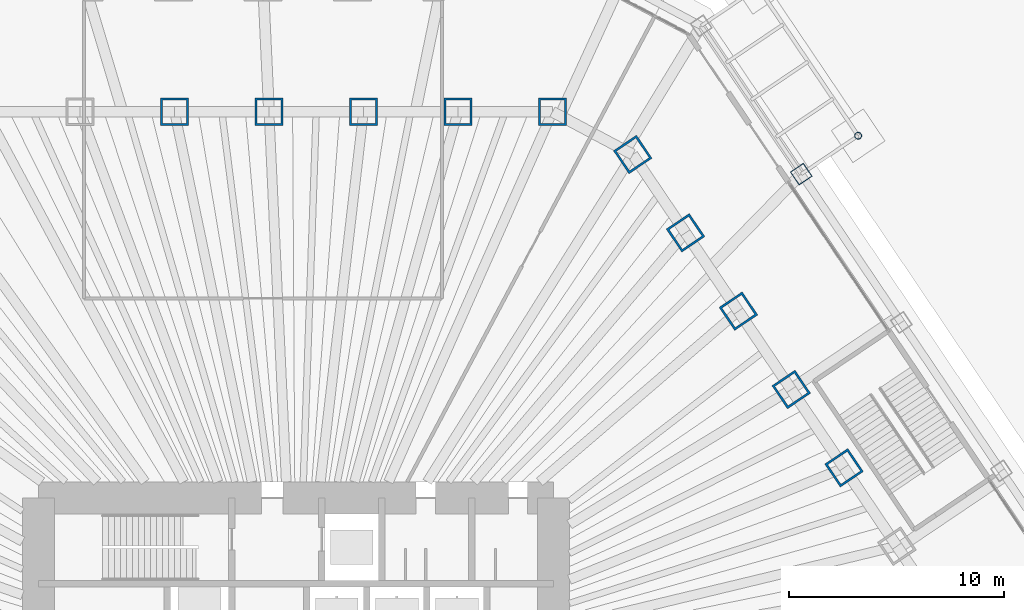
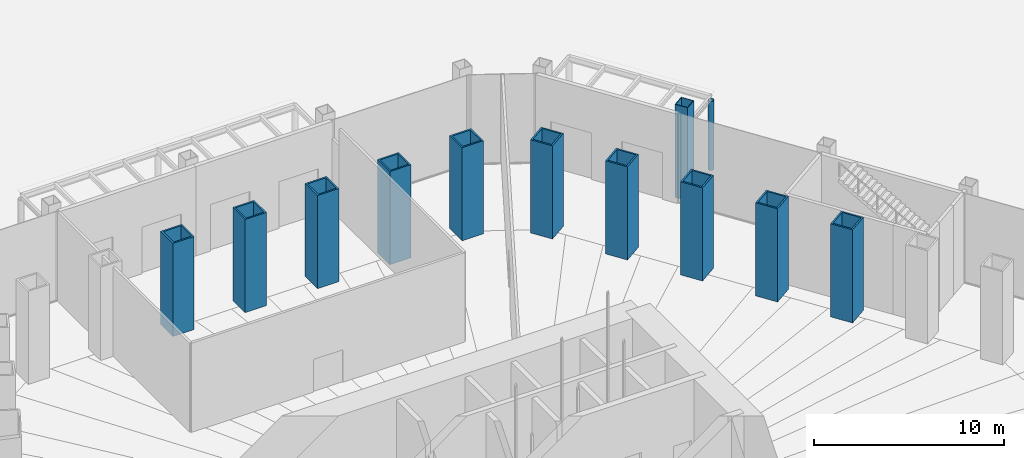
# One storey, part 6 of 45: 12 columns.
"""IFC4 building model written with IfcOpenShell, lengths in metres."""

from ifc_helpers import new_model, si_unit, direction, frame, origin, origin_2d, place, context, subcontext, project, spatial, hollow_rectangle, hollow_circle, extrude, material, material_profile, profile_set, type_object, element, save


model = new_model("IFC4")

# Units and contexts
model_context = context("Model", 3, precision=1e-05, world=origin(), true_north=direction((0.0, 1.0)))
body_context = subcontext(model_context, "Body", "Model", "MODEL_VIEW")
ifc_project = project(units=[si_unit("LENGTHUNIT", "METRE"), si_unit("AREAUNIT", "SQUARE_METRE"), si_unit("VOLUMEUNIT", "CUBIC_METRE"), si_unit("PLANEANGLEUNIT", "RADIAN"), si_unit("MASSUNIT", "GRAM", prefix="KILO")], contexts=[model_context])

# Site, building, storey
site_placement = place(None, origin())
site = spatial("IfcSite", under=ifc_project, at=site_placement, CompositionType="ELEMENT")
building_placement = place(site_placement, origin())
building = spatial("IfcBuilding", under=site, at=building_placement, Name="Qingtian Harvest Tower", CompositionType="ELEMENT")
storey_placement = place(building_placement, origin())
storey = spatial("IfcBuildingStorey", under=building, at=storey_placement, Name="L00", CompositionType="ELEMENT", Elevation=0.0)

# Columns
ifc_material_1 = material(Name="Steel SN490B", Category="steel")
ifc_material_profile_1 = material_profile(ifc_material_1, hollow_circle(Radius=0.161865234375, WallThickness=0.012451171875, at=origin_2d()), Name="CHS324x12.5")
ifc_profile_set_1 = profile_set([ifc_material_profile_1], Name="Steel SN490B")
column_type_1 = type_object("IfcColumnType", Name="Canopy column CC1 CHS324x12.5", PredefinedType="COLUMN", material=ifc_profile_set_1)
column_1_placement = place(storey_placement, frame((26.2060546875, 25.884033203125, -0.300048828125), z_axis=(0.0, 0.0, 1.0), x_axis=(1.0, 0.0, 0.0)))
element("IfcColumn", 1, at=column_1_placement, inside=storey, type_object=column_type_1, Name="Canopy column CC1 CN2 1", PredefinedType="COLUMN", context=body_context, shape_type="SweptSolid", body=[
    extrude(hollow_circle(Radius=0.161865234375, WallThickness=0.012451171875, at=origin_2d()), origin(), (0.0, 0.0, 1.0), 4.4599609375),
])
ifc_material_2 = material(Name="Steel SM570MC", Category="steel")
ifc_material_profile_2 = material_profile(ifc_material_2, hollow_rectangle(XDim=0.75, YDim=0.75, WallThickness=0.035888671875, at=origin_2d()), Name="BOX750x750x36")
ifc_profile_set_2 = profile_set([ifc_material_profile_2], Name="Steel SM570MC")
column_type_2 = type_object("IfcColumnType", Name="Podium column PC1 BOX750x750x36", PredefinedType="COLUMN", material=ifc_profile_set_2)
column_2_placement = place(storey_placement, frame((23.55322265625, 24.0947265625, 0.0), z_axis=(0.0, 0.0, 1.0), x_axis=(-0.559192903471, 0.829037572555, 0.0)))
element("IfcColumn", 2, at=column_2_placement, inside=storey, type_object=column_type_2, Name="Podium column PC1 NE1", PredefinedType="COLUMN", context=body_context, shape_type="SweptSolid", body=[
    extrude(hollow_rectangle(XDim=0.75, YDim=0.75, WallThickness=0.035888671875, at=origin_2d()), origin(), (0.0, 0.0, 1.0), 6.0),
])
ifc_material_3 = material(Name="Steel SM570MC", Category="steel")
ifc_material_profile_3 = material_profile(ifc_material_3, hollow_rectangle(XDim=1.300048828125, YDim=1.300048828125, WallThickness=0.10009765625, at=origin_2d()), Name="BOX1300x1300x100")
ifc_profile_set_3 = profile_set([ifc_material_profile_3], Name="Steel SM570MC")
column_type_3 = type_object("IfcColumnType", Name="Tube column TC1 BOX1300x1300x100", PredefinedType="COLUMN", material=ifc_profile_set_3)
for number, where, z_axis, x_axis, name in (
    (3, (-5.662353515625, 27.0, 0.0), (0.0, 0.0, 1.0), (-1.0, 0.0, 0.0), "Tube column TC1 N2"),
    (4, (-1.257568359375, 27.0, 0.0), (0.0, 0.0, 1.0), (-1.0, 0.0, 0.0), "Tube column TC1 N3"),
    (5, (3.14697265625, 27.0, 0.0), (0.0, 0.0, 1.0), (-1.0, 0.0, 0.0), "Tube column TC1 N4"),
    (6, (7.551513671875, 27.0, 0.0), (0.0, 0.0, 1.0), (-1.0, 0.0, 0.0), "Tube column TC1 N5"),
    (7, (11.9560546875, 27.0, 0.0), (0.0, 0.0, 1.0), (-1.0, 0.0, 0.0), "Tube column TC1 N6"),
    (8, (15.6982421875, 25.01025390625, 0.0), (0.0, 0.0, 1.0), (-0.559192903471, 0.829037572555, 0.0), "Tube column TC1 NE0"),
    (9, (18.1611328125, 21.358642578125, 0.0), (0.0, 0.0, 1.0), (-0.559192903471, 0.829037572555, 0.0), "Tube column TC1 NE1"),
    (10, (20.624267578125, 17.70703125, 0.0), (0.0, 0.0, 1.0), (-0.559192903471, 0.829037572555, 0.0), "Tube column TC1 NE2"),
    (11, (23.08740234375, 14.0556640625, 0.0), (0.0, 0.0, 1.0), (-0.559192903471, 0.829037572555, 0.0), "Tube column TC1 NE3"),
    (12, (25.55029296875, 10.404052734375, 0.0), (0.0, 0.0, 1.0), (-0.559192903471, 0.829037572555, 0.0), "Tube column TC1 NE4"),
):
    element("IfcColumn", number, at=place(storey_placement, frame(where, z_axis=z_axis, x_axis=x_axis)), inside=storey, type_object=column_type_3, Name=name, PredefinedType="COLUMN", context=body_context, shape_type="SweptSolid", body=[
        extrude(hollow_rectangle(XDim=1.300048828125, YDim=1.300048828125, WallThickness=0.10009765625, at=origin_2d()), origin(), (0.0, 0.0, 1.0), 6.0),
    ])

save(model, "model.ifc")
